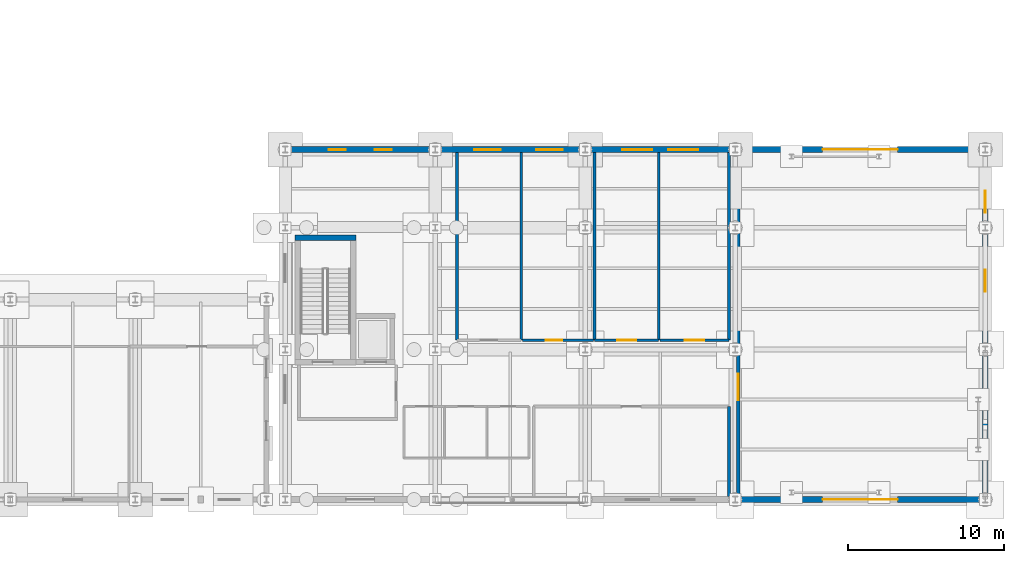
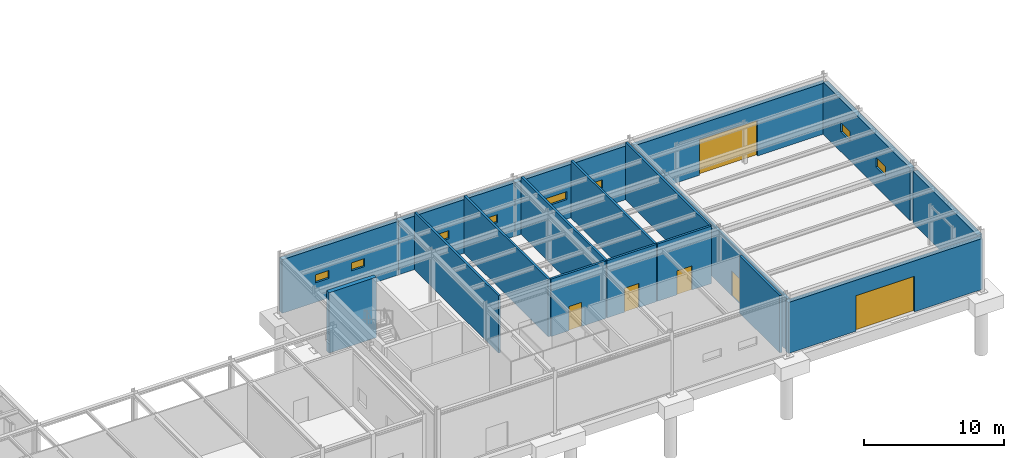
# One storey, part 96 of 109: 18 walls, 8 windows, 6 doors, 14 openings.
"""IFC4 building model written with IfcOpenShell, lengths in metres."""

from ifc_helpers import new_model, si_unit, direction, frame, frame_2d, origin, place, context, subcontext, project, spatial, rectangle, extrude, material, layer, layer_set, type_object, element, fill, save


model = new_model("IFC4")

# Units and contexts
model_context = context("Model", 3, precision=1e-05, world=origin(), true_north=direction((0.0, 1.0)))
body_context = subcontext(model_context, "Body", "Model", "MODEL_VIEW")
ifc_project = project(units=[si_unit("LENGTHUNIT", "METRE"), si_unit("AREAUNIT", "SQUARE_METRE"), si_unit("VOLUMEUNIT", "CUBIC_METRE"), si_unit("PLANEANGLEUNIT", "RADIAN"), si_unit("MASSUNIT", "GRAM", prefix="KILO")], contexts=[model_context])

# Site, building, storey
site_placement = place(None, origin())
site = spatial("IfcSite", under=ifc_project, at=site_placement, CompositionType="ELEMENT")
building_placement = place(site_placement, origin())
building = spatial("IfcBuilding", under=site, at=building_placement, Name="Nordkorset Police Headquarters", CompositionType="ELEMENT")
storey_placement = place(building_placement, origin())
storey = spatial("IfcBuildingStorey", under=building, at=storey_placement, Name="L00", CompositionType="ELEMENT", Elevation=0.0)

# Wall
ifc_material_1 = material(Name="Gypsum board", Category="gypsum")
ifc_layer_1 = layer(ifc_material_1, 0.179931640625, Name="Gypsum board")
ifc_layer_set_1 = layer_set([ifc_layer_1], Name="Gypsum board")
wall_type_1 = type_object("IfcWallType", Name="Wall_Comp_180", PredefinedType="PARTITIONING", material=ifc_layer_set_1)
wall_1_placement = place(storey_placement, frame((154.800048828125, 0.18505859375, 0.0), z_axis=(0.0, 0.0, 1.0), x_axis=(0.0, 1.0, 0.0)))
element("IfcWall", 1, at=wall_1_placement, inside=storey, type_object=wall_type_1, Name="Interior Partition Wall Custody Booking Suite", PredefinedType="PARTITIONING", context=body_context, shape_type="SweptSolid", body=[
    extrude(rectangle(XDim=5.764892578125, YDim=0.179931640625, at=frame_2d((2.88232421875, 0.0))), origin(), (0.0, 0.0, 1.0), 5.0),
])

# Wall, opening, door
wall_2_placement = place(storey_placement, frame((146.199951171875, 10.199951171875, 0.0), z_axis=(0.0, 0.0, 1.0), x_axis=(1.0, 0.0, 0.0)))
wall_2 = element("IfcWall", 2, at=wall_2_placement, inside=storey, type_object=wall_type_1, Name="Interior Partition Wall Custody Medical Examination Room", PredefinedType="PARTITIONING", context=body_context, shape_type="SweptSolid", body=[
    extrude(rectangle(XDim=4.10009765625, YDim=0.179931640625, at=frame_2d((2.050048828125, 0.0))), origin(), (0.0, 0.0, 1.0), 5.0),
])
opening_1_placement = place(wall_2_placement, frame((1.43994140625, 0.0, 0.0)))
opening_1 = element("IfcOpeningElement", 3, at=opening_1_placement, cuts=wall_2, Name="Opening DR-13", PredefinedType="OPENING", context=body_context, shape_type="SweptSolid", body=[
    extrude(rectangle(XDim=1.219970703125, YDim=2.10009765625, at=frame_2d((0.60986328125, 1.050048828125))), frame((0.0, 0.10009765625, 0.0), z_axis=(0.0, -1.0, 0.0), x_axis=(1.0, 0.0, 0.0)), (0.0, 0.0, 1.0), 0.199951171875),
])
ifc_material_2 = material(Name="Steel S355J2", Category="steel")
door_type_1 = type_object("IfcDoorType", Name="Door_FireComp_1220x2100", OperationType="NOTDEFINED", PredefinedType="DOOR", material=ifc_material_2)
door_1_placement = place(opening_1_placement, frame((1.219970703125, 0.0, 0.0), z_axis=(0.0, 0.0, 1.0), x_axis=(-1.0, 0.0, 0.0)))
door_1 = element("IfcDoor", 4, at=door_1_placement, inside=storey, type_object=door_type_1, Name="Interior Door Custody Medical Examination Room", OperationType="SINGLE_SWING_LEFT", OverallHeight=2.10009765625, OverallWidth=1.219970703125, PredefinedType="DOOR", context=body_context, shape_type="SweptSolid", body=[
    extrude(rectangle(XDim=1.219970703125, YDim=2.10009765625, at=frame_2d((0.60986328125, 1.050048828125))), frame((0.0, 0.02490234375, 0.0), z_axis=(0.0, -1.0, 0.0), x_axis=(1.0, 0.0, 0.0)), (0.0, 0.0, 1.0), 0.050048828125),
])
fill(opening_1, door_1)

# Walls
for number, where, z_axis, x_axis, name in (
    (5, (150.300048828125, 10.199951171875, 0.0), (0.0, 0.0, 1.0), (0.0, 1.0, 0.0), "Interior Partition Wall Custody Medical Examination Room"),
    (6, (146.199951171875, 22.215087890625, 0.0), (0.0, 0.0, 1.0), (0.0, -1.0, 0.0), "Interior Partition Wall Custody Medical Examination Room"),
):
    element("IfcWall", number, at=place(storey_placement, frame(where, z_axis=z_axis, x_axis=x_axis)), inside=storey, type_object=wall_type_1, Name=name, PredefinedType="PARTITIONING", context=body_context, shape_type="SweptSolid", body=[
        extrude(rectangle(XDim=12.01513671875, YDim=0.179931640625, at=frame_2d((6.007568359375, 0.0))), origin(), (0.0, 0.0, 1.0), 5.0),
    ])

# Wall, opening, door
wall_3_placement = place(storey_placement, frame((150.385009765625, 10.199951171875, 0.0), z_axis=(0.0, 0.0, 1.0), x_axis=(1.0, 0.0, 0.0)))
wall_3 = element("IfcWall", 7, at=wall_3_placement, inside=storey, type_object=wall_type_1, Name="Interior Partition Wall Custody Legal Consultation Room", PredefinedType="PARTITIONING", context=body_context, shape_type="SweptSolid", body=[
    extrude(rectangle(XDim=4.4150390625, YDim=0.179931640625, at=frame_2d((2.20751953125, 0.0))), origin(), (0.0, 0.0, 1.0), 5.0),
])
opening_2_placement = place(wall_3_placement, frame((1.597412109375, 0.0, 0.0)))
opening_2 = element("IfcOpeningElement", 8, at=opening_2_placement, cuts=wall_3, Name="Opening DR-13", PredefinedType="OPENING", context=body_context, shape_type="SweptSolid", body=[
    extrude(rectangle(XDim=1.219970703125, YDim=2.10009765625, at=frame_2d((0.60986328125, 1.050048828125))), frame((0.0, 0.10009765625, 0.0), z_axis=(0.0, -1.0, 0.0), x_axis=(1.0, 0.0, 0.0)), (0.0, 0.0, 1.0), 0.199951171875),
])
door_2_placement = place(opening_2_placement, origin())
door_2 = element("IfcDoor", 9, at=door_2_placement, inside=storey, type_object=door_type_1, Name="Interior Door Custody Legal Consultation Room", OperationType="SINGLE_SWING_RIGHT", OverallHeight=2.10009765625, OverallWidth=1.219970703125, PredefinedType="DOOR", context=body_context, shape_type="SweptSolid", body=[
    extrude(rectangle(XDim=1.219970703125, YDim=2.10009765625, at=frame_2d((0.60986328125, 1.050048828125))), frame((0.0, 0.02490234375, 0.0), z_axis=(0.0, -1.0, 0.0), x_axis=(1.0, 0.0, 0.0)), (0.0, 0.0, 1.0), 0.050048828125),
])
fill(opening_2, door_2)

# Walls
for number, where, z_axis, x_axis, name in (
    (10, (154.800048828125, 10.199951171875, 0.0), (0.0, 0.0, 1.0), (0.0, 1.0, 0.0), "Interior Partition Wall Custody Legal Consultation Room"),
    (11, (141.5, 10.199951171875, 0.0), (0.0, 0.0, 1.0), (0.0, 1.0, 0.0), "Interior Partition Wall Detention Cell 01"),
    (12, (137.39990234375, 22.215087890625, 0.0), (0.0, 0.0, 1.0), (0.0, -1.0, 0.0), "Interior Partition Wall Detention Cell 01"),
):
    element("IfcWall", number, at=place(storey_placement, frame(where, z_axis=z_axis, x_axis=x_axis)), inside=storey, type_object=wall_type_1, Name=name, PredefinedType="PARTITIONING", context=body_context, shape_type="SweptSolid", body=[
        extrude(rectangle(XDim=12.01513671875, YDim=0.179931640625, at=frame_2d((6.007568359375, 0.0))), origin(), (0.0, 0.0, 1.0), 5.0),
    ])

# Wall, opening, door
wall_4_placement = place(storey_placement, frame((141.5849609375, 10.199951171875, 0.0), z_axis=(0.0, 0.0, 1.0), x_axis=(1.0, 0.0, 0.0)))
wall_4 = element("IfcWall", 13, at=wall_4_placement, inside=storey, type_object=wall_type_1, Name="Interior Partition Wall Detention Cell 02", PredefinedType="PARTITIONING", context=body_context, shape_type="SweptSolid", body=[
    extrude(rectangle(XDim=4.530029296875, YDim=0.179931640625, at=frame_2d((2.26513671875, 0.0))), origin(), (0.0, 0.0, 1.0), 5.0),
])
opening_3_placement = place(wall_4_placement, frame((1.489990234375, 0.0, 0.0)))
opening_3 = element("IfcOpeningElement", 14, at=opening_3_placement, cuts=wall_4, Name="Opening DR-24", PredefinedType="OPENING", context=body_context, shape_type="SweptSolid", body=[
    extrude(rectangle(XDim=1.050048828125, YDim=2.10009765625, at=frame_2d((0.52490234375, 1.050048828125))), frame((0.0, 0.10009765625, 0.0), z_axis=(0.0, -1.0, 0.0), x_axis=(1.0, 0.0, 0.0)), (0.0, 0.0, 1.0), 0.199951171875),
])
ifc_material_3 = material(Name="Steel S355J2", Category="steel")
door_type_2 = type_object("IfcDoorType", Name="Door_CustodyCell_1050x2100", OperationType="NOTDEFINED", PredefinedType="DOOR", material=ifc_material_3)
door_3_placement = place(opening_3_placement, origin())
door_3 = element("IfcDoor", 15, at=door_3_placement, inside=storey, type_object=door_type_2, Name="Interior Door Detention Cell 02", OperationType="SINGLE_SWING_RIGHT", OverallHeight=2.10009765625, OverallWidth=1.050048828125, PredefinedType="DOOR", context=body_context, shape_type="SweptSolid", body=[
    extrude(rectangle(XDim=1.050048828125, YDim=2.10009765625, at=frame_2d((0.52490234375, 1.050048828125))), frame((0.0, 0.02490234375, 0.0), z_axis=(0.0, -1.0, 0.0), x_axis=(1.0, 0.0, 0.0)), (0.0, 0.0, 1.0), 0.050048828125),
])
fill(opening_3, door_3)

ifc_material_4 = material(Name="Gypsum board", Category="gypsum")
ifc_layer_2 = layer(ifc_material_4, 0.219970703125, Name="Gypsum board")
ifc_layer_set_2 = layer_set([ifc_layer_2], Name="Gypsum board")
wall_type_2 = type_object("IfcWallType", Name="Wall_Comp_220", PredefinedType="PARTITIONING", material=ifc_layer_set_2)
wall_5_placement = place(storey_placement, frame((155.39990234375, 22.215087890625, 0.0), z_axis=(0.0, 0.0, 1.0), x_axis=(0.0, -1.0, 0.0)))
wall_5 = element("IfcWall", 16, at=wall_5_placement, inside=storey, type_object=wall_type_2, Name="Interior Partition Wall Secure Vehicle Sally Port", PredefinedType="PARTITIONING", context=body_context, shape_type="SweptSolid", body=[
    extrude(rectangle(XDim=22.030029296875, YDim=0.219970703125, at=frame_2d((11.01513671875, 0.0))), origin(), (0.0, 0.0, 1.0), 4.5400390625),
])
opening_4_placement = place(wall_5_placement, frame((14.175048828125, 0.0, 0.0)))
opening_4 = element("IfcOpeningElement", 17, at=opening_4_placement, cuts=wall_5, Name="Opening DR-15", PredefinedType="OPENING", context=body_context, shape_type="SweptSolid", body=[
    extrude(rectangle(XDim=1.679931640625, YDim=2.199951171875, at=frame_2d((0.83984375, 1.10009765625))), frame((0.0, 0.1201171875, 0.0), z_axis=(0.0, -1.0, 0.0), x_axis=(1.0, 0.0, 0.0)), (0.0, 0.0, 1.0), 0.239990234375),
])
ifc_material_5 = material(Name="Steel S355J2", Category="steel")
door_type_3 = type_object("IfcDoorType", Name="Door_PlantDouble_1680x2200", OperationType="DOUBLE_DOOR_SINGLE_SWING", PredefinedType="DOOR", material=ifc_material_5)
door_4_placement = place(opening_4_placement, frame((1.679931640625, 0.0, 0.0), z_axis=(0.0, 0.0, 1.0), x_axis=(-1.0, 0.0, 0.0)))
door_4 = element("IfcDoor", 18, at=door_4_placement, inside=storey, type_object=door_type_3, Name="Interior Door Secure Vehicle Sally Port", OperationType="DOUBLE_DOOR_SINGLE_SWING", OverallHeight=2.199951171875, OverallWidth=1.679931640625, PredefinedType="DOOR", context=body_context, shape_type="SweptSolid", body=[
    extrude(rectangle(XDim=1.679931640625, YDim=2.199951171875, at=frame_2d((0.83984375, 1.10009765625))), frame((0.0, 0.02490234375, 0.0), z_axis=(0.0, -1.0, 0.0), x_axis=(1.0, 0.0, 0.0)), (0.0, 0.0, 1.0), 0.050048828125),
])
fill(opening_4, door_4)

# Wall
ifc_material_6 = material(Name="Concrete C35/45", Category="concrete")
ifc_layer_3 = layer(ifc_material_6, 0.35009765625, Name="Concrete C35/45")
ifc_layer_set_3 = layer_set([ifc_layer_3], Name="Concrete C35/45")
wall_type_3 = type_object("IfcWallType", Name="Wall_CoreShear_350", PredefinedType="SHEAR", material=ifc_layer_set_3)
wall_6_placement = place(storey_placement, frame((127.02490234375, 16.75, -0.27001953125), z_axis=(0.0, 0.0, 1.0), x_axis=(1.0, 0.0, 0.0)))
element("IfcWall", 19, at=wall_6_placement, inside=storey, type_object=wall_type_3, Name="Core K6 Stair Shaft North Shear Wall L00", PredefinedType="SHEAR", context=body_context, shape_type="SweptSolid", body=[
    extrude(rectangle(XDim=3.900146484375, YDim=0.35009765625, at=frame_2d((1.9501953125, 0.0))), origin(), (0.0, 0.0, 1.0), 5.27001953125),
])

# Wall, openings, windows
ifc_material_7 = material(Name="Precast concrete C40/50", Category="concrete")
ifc_layer_4 = layer(ifc_material_7, 0.3798828125, Name="Precast concrete C40/50")
ifc_layer_set_4 = layer_set([ifc_layer_4], Name="Precast concrete C40/50")
wall_type_4 = type_object("IfcWallType", Name="Wall_ExtCustody_380", PredefinedType="SOLIDWALL", material=ifc_layer_set_4)
wall_7_placement = place(storey_placement, frame((126.40869140625, 22.39990234375, 0.0), z_axis=(0.0, 0.0, 1.0), x_axis=(1.0, 0.0, 0.0)))
wall_7 = element("IfcWall", 20, at=wall_7_placement, inside=storey, type_object=wall_type_4, Name="Exterior Insulated Precast Wall L00 V6N-0", PredefinedType="SOLIDWALL", context=body_context, shape_type="SweptSolid", body=[
    extrude(rectangle(XDim=9.58251953125, YDim=0.3798828125, at=frame_2d((4.791259765625, 0.0))), origin(), (0.0, 0.0, 1.0), 4.669921875),
])
opening_5_placement = place(wall_7_placement, frame((2.774658203125, 0.0, 1.699951171875)))
opening_5 = element("IfcOpeningElement", 21, at=opening_5_placement, cuts=wall_7, Name="Opening WN-11", PredefinedType="OPENING", context=body_context, shape_type="SweptSolid", body=[
    extrude(rectangle(XDim=1.10009765625, YDim=0.699951171875, at=frame_2d((0.550048828125, 0.35009765625))), frame((0.0, 0.199951171875, 0.0), z_axis=(0.0, -1.0, 0.0), x_axis=(1.0, 0.0, 0.0)), (0.0, 0.0, 1.0), 0.39990234375),
])
opening_6_placement = place(wall_7_placement, frame((5.7080078125, 0.0, 1.699951171875)))
opening_6 = element("IfcOpeningElement", 22, at=opening_6_placement, cuts=wall_7, Name="Opening WN-11", PredefinedType="OPENING", context=body_context, shape_type="SweptSolid", body=[
    extrude(rectangle(XDim=1.10009765625, YDim=0.699951171875, at=frame_2d((0.550048828125, 0.35009765625))), frame((0.0, 0.199951171875, 0.0), z_axis=(0.0, -1.0, 0.0), x_axis=(1.0, 0.0, 0.0)), (0.0, 0.0, 1.0), 0.39990234375),
])
ifc_material_8 = material(Name="Low-iron triple glazing", Category="glass")
window_type_1 = type_object("IfcWindowType", Name="Win_1100x700", PartitioningType="SINGLE_PANEL", PredefinedType="WINDOW", material=ifc_material_8)
window_1_placement = place(opening_5_placement, origin())
window_1 = element("IfcWindow", 23, at=window_1_placement, inside=storey, type_object=window_type_1, Name="Triple-Glazed Exterior Window L00 V6N-0-1", OverallHeight=0.699951171875, OverallWidth=1.10009765625, PartitioningType="SINGLE_PANEL", PredefinedType="WINDOW", context=body_context, shape_type="SweptSolid", body=[
    extrude(rectangle(XDim=1.10009765625, YDim=0.699951171875, at=frame_2d((0.550048828125, 0.35009765625))), frame((0.0, 0.030029296875, 0.0), z_axis=(0.0, -1.0, 0.0), x_axis=(1.0, 0.0, 0.0)), (0.0, 0.0, 1.0), 0.06005859375),
])
fill(opening_5, window_1)
window_2_placement = place(opening_6_placement, origin())
window_2 = element("IfcWindow", 24, at=window_2_placement, inside=storey, type_object=window_type_1, Name="Triple-Glazed Exterior Window L00 V6N-0-2", OverallHeight=0.699951171875, OverallWidth=1.10009765625, PartitioningType="SINGLE_PANEL", PredefinedType="WINDOW", context=body_context, shape_type="SweptSolid", body=[
    extrude(rectangle(XDim=1.10009765625, YDim=0.699951171875, at=frame_2d((0.550048828125, 0.35009765625))), frame((0.0, 0.030029296875, 0.0), z_axis=(0.0, -1.0, 0.0), x_axis=(1.0, 0.0, 0.0)), (0.0, 0.0, 1.0), 0.06005859375),
])
fill(opening_6, window_2)

wall_8_placement = place(storey_placement, frame((136.0087890625, 22.39990234375, 0.0), z_axis=(0.0, 0.0, 1.0), x_axis=(1.0, 0.0, 0.0)))
wall_8 = element("IfcWall", 25, at=wall_8_placement, inside=storey, type_object=wall_type_4, Name="Exterior Insulated Precast Wall L00 V6N-1", PredefinedType="SOLIDWALL", context=body_context, shape_type="SweptSolid", body=[
    extrude(rectangle(XDim=9.58251953125, YDim=0.3798828125, at=frame_2d((4.791259765625, 0.0))), origin(), (0.0, 0.0, 1.0), 4.669921875),
])
opening_7_placement = place(wall_8_placement, frame((2.474609375, 0.0, 1.699951171875)))
opening_7 = element("IfcOpeningElement", 26, at=opening_7_placement, cuts=wall_8, Name="Opening WN-10", PredefinedType="OPENING", context=body_context, shape_type="SweptSolid", body=[
    extrude(rectangle(XDim=1.699951171875, YDim=0.699951171875, at=frame_2d((0.85009765625, 0.35009765625))), frame((0.0, 0.199951171875, 0.0), z_axis=(0.0, -1.0, 0.0), x_axis=(1.0, 0.0, 0.0)), (0.0, 0.0, 1.0), 0.39990234375),
])
opening_8_placement = place(wall_8_placement, frame((6.4580078125, 0.0, 1.699951171875)))
opening_8 = element("IfcOpeningElement", 27, at=opening_8_placement, cuts=wall_8, Name="Opening WN-10", PredefinedType="OPENING", context=body_context, shape_type="SweptSolid", body=[
    extrude(rectangle(XDim=1.699951171875, YDim=0.699951171875, at=frame_2d((0.85009765625, 0.35009765625))), frame((0.0, 0.199951171875, 0.0), z_axis=(0.0, -1.0, 0.0), x_axis=(1.0, 0.0, 0.0)), (0.0, 0.0, 1.0), 0.39990234375),
])
ifc_material_9 = material(Name="Low-iron triple glazing", Category="glass")
window_type_2 = type_object("IfcWindowType", Name="Win_1700x700", PartitioningType="SINGLE_PANEL", PredefinedType="WINDOW", material=ifc_material_9)
window_3_placement = place(opening_7_placement, origin())
window_3 = element("IfcWindow", 28, at=window_3_placement, inside=storey, type_object=window_type_2, Name="Triple-Glazed Exterior Window L00 V6N-1-1", OverallHeight=0.699951171875, OverallWidth=1.699951171875, PartitioningType="SINGLE_PANEL", PredefinedType="WINDOW", context=body_context, shape_type="SweptSolid", body=[
    extrude(rectangle(XDim=1.699951171875, YDim=0.699951171875, at=frame_2d((0.85009765625, 0.35009765625))), frame((0.0, 0.030029296875, 0.0), z_axis=(0.0, -1.0, 0.0), x_axis=(1.0, 0.0, 0.0)), (0.0, 0.0, 1.0), 0.06005859375),
])
fill(opening_7, window_3)
window_4_placement = place(opening_8_placement, origin())
window_4 = element("IfcWindow", 29, at=window_4_placement, inside=storey, type_object=window_type_2, Name="Triple-Glazed Exterior Window L00 V6N-1-2", OverallHeight=0.699951171875, OverallWidth=1.699951171875, PartitioningType="SINGLE_PANEL", PredefinedType="WINDOW", context=body_context, shape_type="SweptSolid", body=[
    extrude(rectangle(XDim=1.699951171875, YDim=0.699951171875, at=frame_2d((0.85009765625, 0.35009765625))), frame((0.0, 0.030029296875, 0.0), z_axis=(0.0, -1.0, 0.0), x_axis=(1.0, 0.0, 0.0)), (0.0, 0.0, 1.0), 0.06005859375),
])
fill(opening_8, window_4)

wall_9_placement = place(storey_placement, frame((145.608642578125, 22.39990234375, 0.0), z_axis=(0.0, 0.0, 1.0), x_axis=(1.0, 0.0, 0.0)))
wall_9 = element("IfcWall", 30, at=wall_9_placement, inside=storey, type_object=wall_type_4, Name="Exterior Insulated Precast Wall L00 V6N-2", PredefinedType="SOLIDWALL", context=body_context, shape_type="SweptSolid", body=[
    extrude(rectangle(XDim=9.58251953125, YDim=0.3798828125, at=frame_2d((4.791259765625, 0.0))), origin(), (0.0, 0.0, 1.0), 4.669921875),
])
opening_9_placement = place(wall_9_placement, frame((2.37451171875, 0.0, 1.699951171875)))
opening_9 = element("IfcOpeningElement", 31, at=opening_9_placement, cuts=wall_9, Name="Opening WN-49", PredefinedType="OPENING", context=body_context, shape_type="SweptSolid", body=[
    extrude(rectangle(XDim=1.89990234375, YDim=0.699951171875, at=frame_2d((0.949951171875, 0.35009765625))), frame((0.0, 0.199951171875, 0.0), z_axis=(0.0, -1.0, 0.0), x_axis=(1.0, 0.0, 0.0)), (0.0, 0.0, 1.0), 0.39990234375),
])
opening_10_placement = place(wall_9_placement, frame((5.30810546875, 0.0, 1.699951171875)))
opening_10 = element("IfcOpeningElement", 32, at=opening_10_placement, cuts=wall_9, Name="Opening WN-49", PredefinedType="OPENING", context=body_context, shape_type="SweptSolid", body=[
    extrude(rectangle(XDim=1.89990234375, YDim=0.699951171875, at=frame_2d((0.949951171875, 0.35009765625))), frame((0.0, 0.199951171875, 0.0), z_axis=(0.0, -1.0, 0.0), x_axis=(1.0, 0.0, 0.0)), (0.0, 0.0, 1.0), 0.39990234375),
])
ifc_material_10 = material(Name="Low-iron triple glazing", Category="glass")
window_type_3 = type_object("IfcWindowType", Name="Win_1900x700", PartitioningType="SINGLE_PANEL", PredefinedType="WINDOW", material=ifc_material_10)
window_5_placement = place(opening_9_placement, origin())
window_5 = element("IfcWindow", 33, at=window_5_placement, inside=storey, type_object=window_type_3, Name="Triple-Glazed Exterior Window L00 V6N-2-1", OverallHeight=0.699951171875, OverallWidth=1.89990234375, PartitioningType="SINGLE_PANEL", PredefinedType="WINDOW", context=body_context, shape_type="SweptSolid", body=[
    extrude(rectangle(XDim=1.89990234375, YDim=0.699951171875, at=frame_2d((0.949951171875, 0.35009765625))), frame((0.0, 0.030029296875, 0.0), z_axis=(0.0, -1.0, 0.0), x_axis=(1.0, 0.0, 0.0)), (0.0, 0.0, 1.0), 0.06005859375),
])
fill(opening_9, window_5)
window_6_placement = place(opening_10_placement, origin())
window_6 = element("IfcWindow", 34, at=window_6_placement, inside=storey, type_object=window_type_3, Name="Triple-Glazed Exterior Window L00 V6N-2-2", OverallHeight=0.699951171875, OverallWidth=1.89990234375, PartitioningType="SINGLE_PANEL", PredefinedType="WINDOW", context=body_context, shape_type="SweptSolid", body=[
    extrude(rectangle(XDim=1.89990234375, YDim=0.699951171875, at=frame_2d((0.949951171875, 0.35009765625))), frame((0.0, 0.030029296875, 0.0), z_axis=(0.0, -1.0, 0.0), x_axis=(1.0, 0.0, 0.0)), (0.0, 0.0, 1.0), 0.06005859375),
])
fill(opening_10, window_6)

# Wall, opening, door
wall_10_placement = place(storey_placement, frame((155.208740234375, 0.0, 0.0), z_axis=(0.0, 0.0, 1.0), x_axis=(1.0, 0.0, 0.0)))
wall_10 = element("IfcWall", 35, at=wall_10_placement, inside=storey, type_object=wall_type_4, Name="Exterior Insulated Precast Wall L00 V6S-VG01", PredefinedType="SOLIDWALL", context=body_context, shape_type="SweptSolid", body=[
    extrude(rectangle(XDim=15.982421875, YDim=0.3798828125, at=frame_2d((7.9912109375, 0.0))), origin(), (0.0, 0.0, 1.0), 4.43994140625),
])
opening_11_placement = place(wall_10_placement, frame((5.59130859375, 0.0, 0.0)))
opening_11 = element("IfcOpeningElement", 36, at=opening_11_placement, cuts=wall_10, Name="Opening VG-01", PredefinedType="OPENING", context=body_context, shape_type="SweptSolid", body=[
    extrude(rectangle(XDim=4.800048828125, YDim=3.10009765625, at=frame_2d((2.39990234375, 1.550048828125))), frame((0.0, 0.199951171875, 0.0), z_axis=(0.0, -1.0, 0.0), x_axis=(1.0, 0.0, 0.0)), (0.0, 0.0, 1.0), 0.39990234375),
])
ifc_material_11 = material(Name="Steel S355J2", Category="steel")
door_type_4 = type_object("IfcDoorType", Name="Shutter_SallyPort_4800x3100", OperationType="ROLLINGUP", PredefinedType="USERDEFINED", material=ifc_material_11)
door_5_placement = place(opening_11_placement, frame((4.800048828125, 0.0, 0.0), z_axis=(0.0, 0.0, 1.0), x_axis=(-1.0, 0.0, 0.0)))
door_5 = element("IfcDoor", 37, at=door_5_placement, inside=storey, type_object=door_type_4, Name="Sally Port Entry Roller Shutter VG-01", ObjectType="ROLLER SHUTTER", OperationType="SINGLE_SWING_LEFT", OverallHeight=3.10009765625, OverallWidth=4.800048828125, PredefinedType="USERDEFINED", context=body_context, shape_type="SweptSolid", body=[
    extrude(rectangle(XDim=4.800048828125, YDim=3.10009765625, at=frame_2d((2.39990234375, 1.550048828125))), frame((0.0, 0.02490234375, 0.0), z_axis=(0.0, -1.0, 0.0), x_axis=(1.0, 0.0, 0.0)), (0.0, 0.0, 1.0), 0.050048828125),
])
fill(opening_11, door_5)

wall_11_placement = place(storey_placement, frame((155.208740234375, 22.39990234375, 0.0), z_axis=(0.0, 0.0, 1.0), x_axis=(1.0, 0.0, 0.0)))
wall_11 = element("IfcWall", 38, at=wall_11_placement, inside=storey, type_object=wall_type_4, Name="Exterior Insulated Precast Wall L00 V6N-VG02", PredefinedType="SOLIDWALL", context=body_context, shape_type="SweptSolid", body=[
    extrude(rectangle(XDim=15.982421875, YDim=0.3798828125, at=frame_2d((7.9912109375, 0.0))), origin(), (0.0, 0.0, 1.0), 4.43994140625),
])
opening_12_placement = place(wall_11_placement, frame((5.59130859375, 0.0, 0.0)))
opening_12 = element("IfcOpeningElement", 39, at=opening_12_placement, cuts=wall_11, Name="Opening VG-02", PredefinedType="OPENING", context=body_context, shape_type="SweptSolid", body=[
    extrude(rectangle(XDim=4.800048828125, YDim=3.10009765625, at=frame_2d((2.39990234375, 1.550048828125))), frame((0.0, 0.199951171875, 0.0), z_axis=(0.0, -1.0, 0.0), x_axis=(1.0, 0.0, 0.0)), (0.0, 0.0, 1.0), 0.39990234375),
])
door_6_placement = place(opening_12_placement, origin())
door_6 = element("IfcDoor", 40, at=door_6_placement, inside=storey, type_object=door_type_4, Name="Sally Port Exit Roller Shutter VG-02", ObjectType="ROLLER SHUTTER", OperationType="SINGLE_SWING_LEFT", OverallHeight=3.10009765625, OverallWidth=4.800048828125, PredefinedType="USERDEFINED", context=body_context, shape_type="SweptSolid", body=[
    extrude(rectangle(XDim=4.800048828125, YDim=3.10009765625, at=frame_2d((2.39990234375, 1.550048828125))), frame((0.0, 0.02490234375, 0.0), z_axis=(0.0, -1.0, 0.0), x_axis=(1.0, 0.0, 0.0)), (0.0, 0.0, 1.0), 0.050048828125),
])
fill(opening_12, door_6)

# Wall
wall_12_placement = place(storey_placement, frame((171.199951171875, 0.201904296875, 0.0), z_axis=(0.0, 0.0, 1.0), x_axis=(0.0, 1.0, 0.0)))
element("IfcWall", 41, at=wall_12_placement, inside=storey, type_object=wall_type_4, Name="Exterior Insulated Precast Wall L00 V6E-0A", PredefinedType="SOLIDWALL", context=body_context, shape_type="SweptSolid", body=[
    extrude(rectangle(XDim=9.196044921875, YDim=0.3798828125, at=frame_2d((4.59814453125, 0.0))), origin(), (0.0, 0.0, 1.0), 4.5400390625),
])

# Wall, openings, windows
wall_13_placement = place(storey_placement, frame((171.199951171875, 9.802001953125, 0.0), z_axis=(0.0, 0.0, 1.0), x_axis=(0.0, 1.0, 0.0)))
wall_13 = element("IfcWall", 42, at=wall_13_placement, inside=storey, type_object=wall_type_4, Name="Exterior Insulated Precast Wall L00 V6E-0B", PredefinedType="SOLIDWALL", context=body_context, shape_type="SweptSolid", body=[
    extrude(rectangle(XDim=12.39599609375, YDim=0.3798828125, at=frame_2d((6.197998046875, 0.0))), origin(), (0.0, 0.0, 1.0), 4.5400390625),
])
opening_13_placement = place(wall_13_placement, frame((3.498046875, 0.0, 1.699951171875)))
opening_13 = element("IfcOpeningElement", 43, at=opening_13_placement, cuts=wall_13, Name="Opening WN-14", PredefinedType="OPENING", context=body_context, shape_type="SweptSolid", body=[
    extrude(rectangle(XDim=1.39990234375, YDim=0.85009765625, at=frame_2d((0.699951171875, 0.425048828125))), frame((0.0, 0.199951171875, 0.0), z_axis=(0.0, -1.0, 0.0), x_axis=(1.0, 0.0, 0.0)), (0.0, 0.0, 1.0), 0.39990234375),
])
opening_14_placement = place(wall_13_placement, frame((8.548095703125, 0.0, 1.699951171875)))
opening_14 = element("IfcOpeningElement", 44, at=opening_14_placement, cuts=wall_13, Name="Opening WN-14", PredefinedType="OPENING", context=body_context, shape_type="SweptSolid", body=[
    extrude(rectangle(XDim=1.39990234375, YDim=0.85009765625, at=frame_2d((0.699951171875, 0.425048828125))), frame((0.0, 0.199951171875, 0.0), z_axis=(0.0, -1.0, 0.0), x_axis=(1.0, 0.0, 0.0)), (0.0, 0.0, 1.0), 0.39990234375),
])
ifc_material_12 = material(Name="Low-iron triple glazing", Category="glass")
window_type_4 = type_object("IfcWindowType", Name="Win_1400x850", PartitioningType="SINGLE_PANEL", PredefinedType="WINDOW", material=ifc_material_12)
window_7_placement = place(opening_13_placement, origin())
window_7 = element("IfcWindow", 45, at=window_7_placement, inside=storey, type_object=window_type_4, Name="Triple-Glazed Exterior Window L00 V6E-0B-1", OverallHeight=0.85009765625, OverallWidth=1.39990234375, PartitioningType="SINGLE_PANEL", PredefinedType="WINDOW", context=body_context, shape_type="SweptSolid", body=[
    extrude(rectangle(XDim=1.39990234375, YDim=0.85009765625, at=frame_2d((0.699951171875, 0.425048828125))), frame((0.0, 0.030029296875, 0.0), z_axis=(0.0, -1.0, 0.0), x_axis=(1.0, 0.0, 0.0)), (0.0, 0.0, 1.0), 0.06005859375),
])
fill(opening_13, window_7)
window_8_placement = place(opening_14_placement, origin())
window_8 = element("IfcWindow", 46, at=window_8_placement, inside=storey, type_object=window_type_4, Name="Triple-Glazed Exterior Window L00 V6E-0B-2", OverallHeight=0.85009765625, OverallWidth=1.39990234375, PartitioningType="SINGLE_PANEL", PredefinedType="WINDOW", context=body_context, shape_type="SweptSolid", body=[
    extrude(rectangle(XDim=1.39990234375, YDim=0.85009765625, at=frame_2d((0.699951171875, 0.425048828125))), frame((0.0, 0.030029296875, 0.0), z_axis=(0.0, -1.0, 0.0), x_axis=(1.0, 0.0, 0.0)), (0.0, 0.0, 1.0), 0.06005859375),
])
fill(opening_14, window_8)

save(model, "model.ifc")
